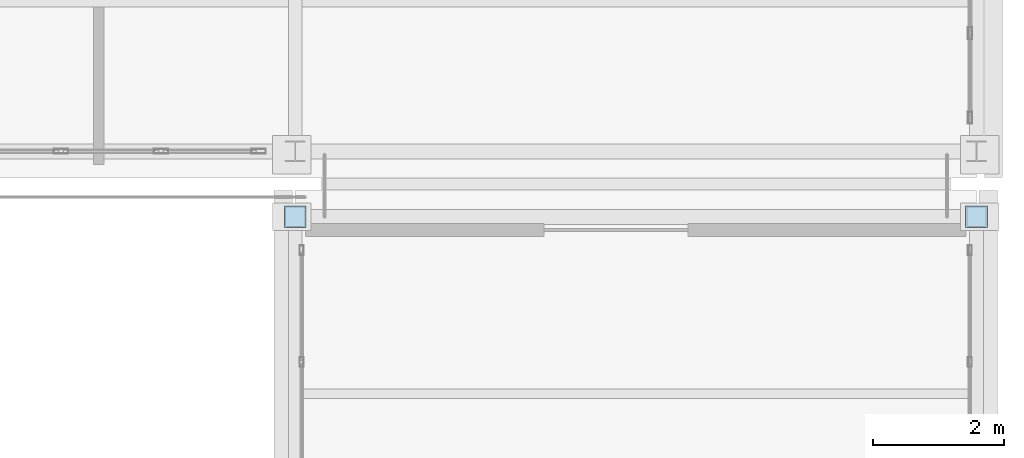
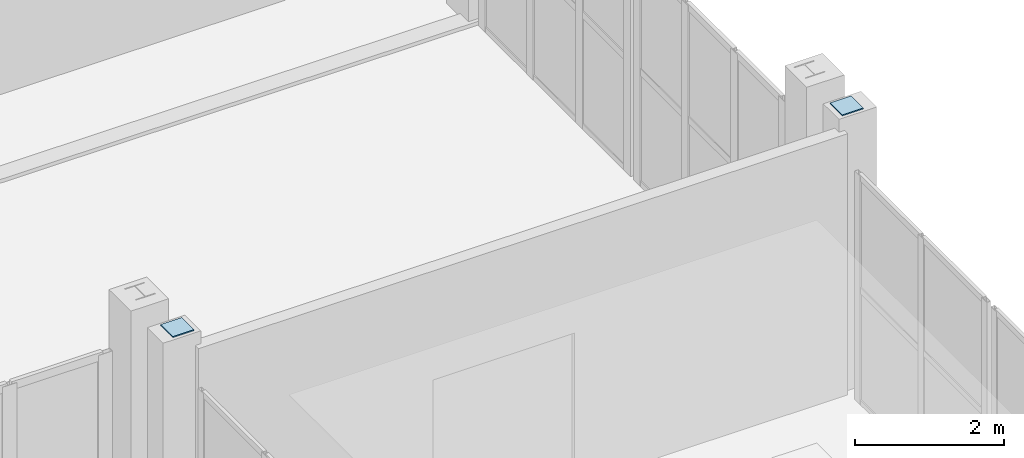
# One storey, part 118 of 156: 2 plates.
"""IFC4 building model written with IfcOpenShell, lengths in metres."""

from ifc_helpers import new_model, si_unit, direction, frame, origin, origin_2d, place, context, subcontext, project, spatial, rectangle, extrude, material, layer, layer_set, type_object, element, save


model = new_model("IFC4")

# Units and contexts
model_context = context("Model", 3, precision=1e-05, world=origin(), true_north=direction((0.0, 1.0)))
body_context = subcontext(model_context, "Body", "Model", "MODEL_VIEW")
ifc_project = project(units=[si_unit("LENGTHUNIT", "METRE"), si_unit("AREAUNIT", "SQUARE_METRE"), si_unit("VOLUMEUNIT", "CUBIC_METRE"), si_unit("PLANEANGLEUNIT", "RADIAN"), si_unit("MASSUNIT", "GRAM", prefix="KILO")], contexts=[model_context])

# Site, building, storey
site_placement = place(None, origin())
site = spatial("IfcSite", under=ifc_project, at=site_placement, CompositionType="ELEMENT")
building_placement = place(site_placement, origin())
building = spatial("IfcBuilding", under=site, at=building_placement, Name="Caurita Quay Ferry Terminal", CompositionType="ELEMENT")
storey_placement = place(building_placement, frame((0.0, 0.0, 5.39990234375)))
storey = spatial("IfcBuildingStorey", under=building, at=storey_placement, Name="L01", CompositionType="ELEMENT", Elevation=5.39990234375)

# Plates
ifc_material = material(Name="Structural plate steel ASTM A572 Gr. 50", Category="steel")
ifc_layer = layer(ifc_material, 0.01806640625, Name="Structural steel connection plate 18 mm")
ifc_layer_set = layer_set([ifc_layer], Name="Structural plate steel ASTM A572 Gr. 50")
plate_type = type_object("IfcPlateType", Name="PLT-STL-18", PredefinedType="USERDEFINED", material=ifc_layer_set)
for number, where, z_axis, x_axis, name in (
    (1, (163.60009765625, 33.60009765625, 4.4990234375), (0.0, 0.0, 1.0), (1.0, 0.0, 0.0), "L01 Hollow Column End-Cap Plate V3-BP-18-E"),
    (2, (174.0, 33.60009765625, 4.4990234375), (0.0, 0.0, 1.0), (1.0, 0.0, 0.0), "L01 Hollow Column End-Cap Plate V3-BP-19-E"),
):
    element("IfcPlate", number, at=place(storey_placement, frame(where, z_axis=z_axis, x_axis=x_axis)), inside=storey, type_object=plate_type, Name=name, ObjectType="GUSSET PLATE", PredefinedType="USERDEFINED", context=body_context, shape_type="SweptSolid", body=[
        extrude(rectangle(XDim=0.328857421875, YDim=0.328857421875, at=origin_2d()), origin(), (0.0, 0.0, 1.0), 0.01806640625),
    ])

save(model, "model.ifc")
